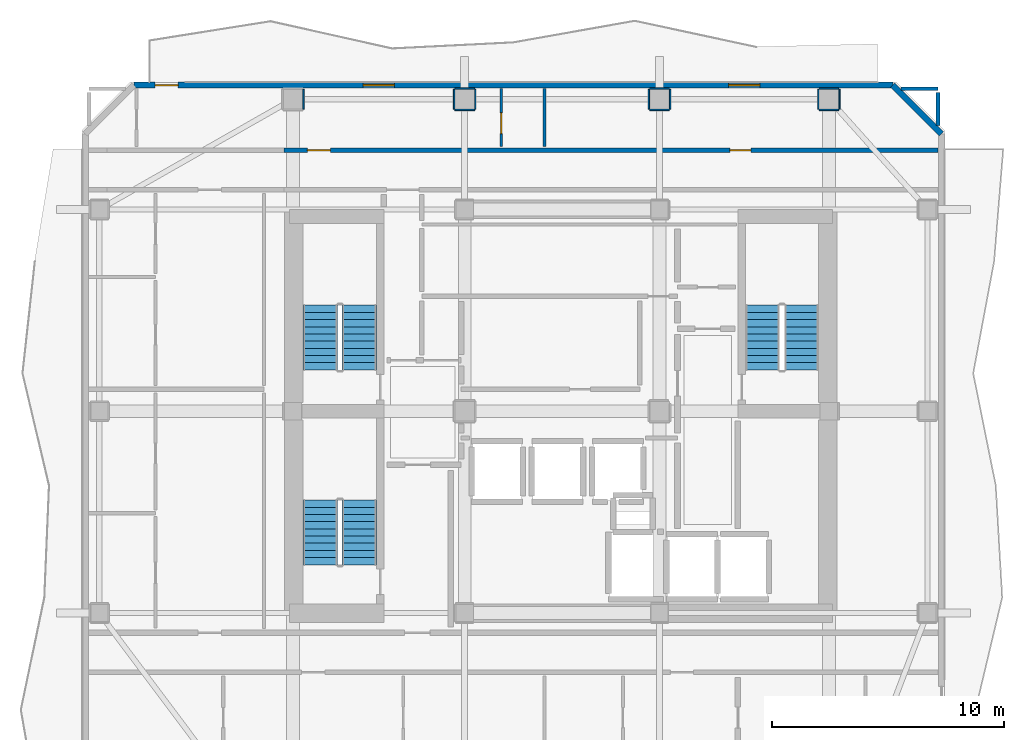
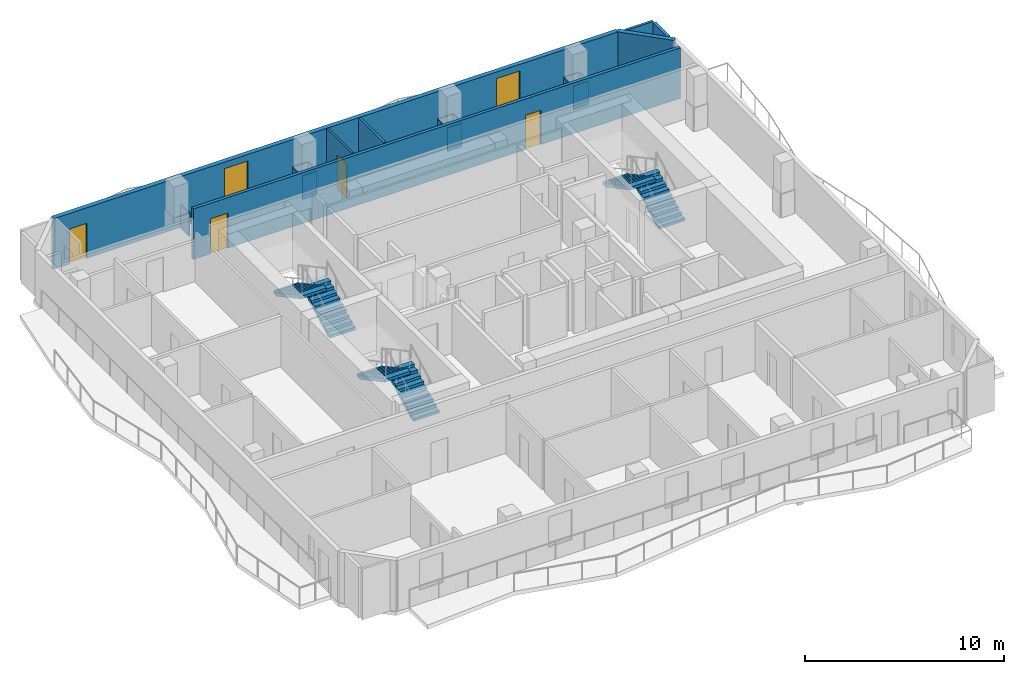
# One storey, part 6 of 10: 20 walls, 6 stair flights, 4 doors, 2 windows, 6 openings, 3 elements without a shape of their own.
"""IFC4 building model written with IfcOpenShell, lengths in metres."""

from ifc_helpers import new_model, si_unit, direction, frame, frame_2d, origin, place, context, subcontext, project, spatial, polyline, rectangle, outline, extrude, material, layer, layer_set, type_object, element, fill, aggregate, save


model = new_model("IFC4")

# Units and contexts
model_context = context("Model", 3, precision=1e-05, world=origin(), true_north=direction((0.0, 1.0)))
body_context = subcontext(model_context, "Body", "Model", "MODEL_VIEW")
ifc_project = project(units=[si_unit("LENGTHUNIT", "METRE"), si_unit("AREAUNIT", "SQUARE_METRE"), si_unit("VOLUMEUNIT", "CUBIC_METRE"), si_unit("PLANEANGLEUNIT", "RADIAN"), si_unit("MASSUNIT", "GRAM", prefix="KILO")], contexts=[model_context])

# Site, building, storey
site_placement = place(None, origin())
site = spatial("IfcSite", under=ifc_project, at=site_placement, CompositionType="ELEMENT")
building_placement = place(site_placement, origin())
building = spatial("IfcBuilding", under=site, at=building_placement, Name="Solanera Arch Residences", CompositionType="ELEMENT")
storey_placement = place(building_placement, frame((0.0, 0.0, 193.47998046875)))
storey = spatial("IfcBuildingStorey", under=building, at=storey_placement, Name="L56", CompositionType="ELEMENT", Elevation=193.47998046875)

# Walls
ifc_material_1 = material(Name="Fire-Rated Gypsum Stud Partition", Category="gypsum")
ifc_layer_1 = layer(ifc_material_1, 0.06005859375)
ifc_layer_set_1 = layer_set([ifc_layer_1], Name="Fire-Rated Gypsum Stud Partition")
wall_type_1 = type_object("IfcWallType", Name="Column Acoustic Furring Wall 60", PredefinedType="PARTITIONING", material=ifc_layer_set_1)
wall_1_placement = place(storey_placement, frame((13.85693359375, 43.72509765625, 0.0), z_axis=(0.0, 0.0, 1.0), x_axis=(0.0, 1.0, 0.0)))
element("IfcWall", 1, at=wall_1_placement, inside=storey, type_object=wall_type_1, Name="L56 Column Furring 10E", PredefinedType="PARTITIONING", context=body_context, shape_type="SweptSolid", body=[
    extrude(rectangle(XDim=0.849853515625, YDim=0.06005859375, at=frame_2d((0.4248046875, 0.0))), origin(), (0.0, 0.0, 1.0), 1.449951171875),
])
for number, where, z_axis, x_axis, name in (
    (2, (20.375, 43.693115234375, 0.0), (0.0, 0.0, 1.0), (1.0, 0.0, 0.0), "L56 Column Furring 12S"),
    (3, (20.375, 44.60693359375, 0.0), (0.0, 0.0, 1.0), (1.0, 0.0, 0.0), "L56 Column Furring 12N"),
):
    element("IfcWall", number, at=place(storey_placement, frame(where, z_axis=z_axis, x_axis=x_axis)), inside=storey, type_object=wall_type_1, Name=name, PredefinedType="PARTITIONING", context=body_context, shape_type="SweptSolid", body=[
        extrude(rectangle(XDim=0.85009765625, YDim=0.06005859375, at=frame_2d((0.425048828125, 0.0))), origin(), (0.0, 0.0, 1.0), 1.449951171875),
    ])
for number, where, z_axis, x_axis, name in (
    (4, (20.343017578125, 43.72509765625, 0.0), (0.0, 0.0, 1.0), (0.0, 1.0, 0.0), "L56 Column Furring 12W"),
    (5, (21.257080078125, 43.72509765625, 0.0), (0.0, 0.0, 1.0), (0.0, 1.0, 0.0), "L56 Column Furring 12E"),
):
    element("IfcWall", number, at=place(storey_placement, frame(where, z_axis=z_axis, x_axis=x_axis)), inside=storey, type_object=wall_type_1, Name=name, PredefinedType="PARTITIONING", context=body_context, shape_type="SweptSolid", body=[
        extrude(rectangle(XDim=0.849853515625, YDim=0.06005859375, at=frame_2d((0.4248046875, 0.0))), origin(), (0.0, 0.0, 1.0), 1.449951171875),
    ])
for number, where, z_axis, x_axis, name in (
    (6, (28.77490234375, 43.693115234375, 0.0), (0.0, 0.0, 1.0), (1.0, 0.0, 0.0), "L56 Column Furring 14S"),
    (7, (28.77490234375, 44.60693359375, 0.0), (0.0, 0.0, 1.0), (1.0, 0.0, 0.0), "L56 Column Furring 14N"),
):
    element("IfcWall", number, at=place(storey_placement, frame(where, z_axis=z_axis, x_axis=x_axis)), inside=storey, type_object=wall_type_1, Name=name, PredefinedType="PARTITIONING", context=body_context, shape_type="SweptSolid", body=[
        extrude(rectangle(XDim=0.85009765625, YDim=0.06005859375, at=frame_2d((0.425048828125, 0.0))), origin(), (0.0, 0.0, 1.0), 1.449951171875),
    ])
for number, where, z_axis, x_axis, name in (
    (8, (28.742919921875, 43.72509765625, 0.0), (0.0, 0.0, 1.0), (0.0, 1.0, 0.0), "L56 Column Furring 14W"),
    (9, (29.656982421875, 43.72509765625, 0.0), (0.0, 0.0, 1.0), (0.0, 1.0, 0.0), "L56 Column Furring 14E"),
):
    element("IfcWall", number, at=place(storey_placement, frame(where, z_axis=z_axis, x_axis=x_axis)), inside=storey, type_object=wall_type_1, Name=name, PredefinedType="PARTITIONING", context=body_context, shape_type="SweptSolid", body=[
        extrude(rectangle(XDim=0.849853515625, YDim=0.06005859375, at=frame_2d((0.4248046875, 0.0))), origin(), (0.0, 0.0, 1.0), 1.449951171875),
    ])
for number, where, z_axis, x_axis, name in (
    (10, (36.074951171875, 43.693115234375, 0.0), (0.0, 0.0, 1.0), (1.0, 0.0, 0.0), "L56 Column Furring 16S"),
    (11, (36.074951171875, 44.60693359375, 0.0), (0.0, 0.0, 1.0), (1.0, 0.0, 0.0), "L56 Column Furring 16N"),
):
    element("IfcWall", number, at=place(storey_placement, frame(where, z_axis=z_axis, x_axis=x_axis)), inside=storey, type_object=wall_type_1, Name=name, PredefinedType="PARTITIONING", context=body_context, shape_type="SweptSolid", body=[
        extrude(rectangle(XDim=0.85009765625, YDim=0.06005859375, at=frame_2d((0.425048828125, 0.0))), origin(), (0.0, 0.0, 1.0), 1.449951171875),
    ])
for number, where, z_axis, x_axis, name in (
    (12, (36.04296875, 43.72509765625, 0.0), (0.0, 0.0, 1.0), (0.0, 1.0, 0.0), "L56 Column Furring 16W"),
    (13, (36.95703125, 43.72509765625, 0.0), (0.0, 0.0, 1.0), (0.0, 1.0, 0.0), "L56 Column Furring 16E"),
):
    element("IfcWall", number, at=place(storey_placement, frame(where, z_axis=z_axis, x_axis=x_axis)), inside=storey, type_object=wall_type_1, Name=name, PredefinedType="PARTITIONING", context=body_context, shape_type="SweptSolid", body=[
        extrude(rectangle(XDim=0.849853515625, YDim=0.06005859375, at=frame_2d((0.4248046875, 0.0))), origin(), (0.0, 0.0, 1.0), 1.449951171875),
    ])

# Wall, openings, doors
ifc_material_2 = material(Name="Autoclaved Aerated Concrete Blockwork", Category="masonry")
ifc_layer_2 = layer(ifc_material_2, 0.179931640625)
ifc_layer_set_2 = layer_set([ifc_layer_2], Name="Autoclaved Aerated Concrete Blockwork")
wall_type_2 = type_object("IfcWallType", Name="Corridor Fire Partition 180", PredefinedType="PARTITIONING", material=ifc_layer_set_2)
wall_2_placement = place(storey_placement, frame((13.011962890625, 41.949951171875, 0.0), z_axis=(0.0, 0.0, 1.0), x_axis=(1.0, 0.0, 0.0)))
wall_2 = element("IfcWall", 14, at=wall_2_placement, inside=storey, type_object=wall_type_2, Name="L56 Interior Partition H13 3", PredefinedType="PARTITIONING", context=body_context, shape_type="SweptSolid", body=[
    extrude(rectangle(XDim=28.200927734375, YDim=0.179931640625, at=frame_2d((14.1005859375, 0.0))), origin(), (0.0, 0.0, 1.0), 3.10009765625),
])
opening_1_placement = place(wall_2_placement, frame((1.0029296875, 0.0, 0.0)))
opening_1 = element("IfcOpeningElement", 15, at=opening_1_placement, cuts=wall_2, Name="Opening DI-01", PredefinedType="OPENING", context=body_context, shape_type="SweptSolid", body=[
    extrude(rectangle(XDim=1.0, YDim=2.14990234375, at=frame_2d((0.5, 1.074951171875))), frame((0.0, 0.10009765625, 0.0), z_axis=(0.0, -1.0, 0.0), x_axis=(1.0, 0.0, 0.0)), (0.0, 0.0, 1.0), 0.1999),
])
opening_2_placement = place(wall_2_placement, frame((19.22412109375, 0.0, 0.0)))
opening_2 = element("IfcOpeningElement", 16, at=opening_2_placement, cuts=wall_2, Name="Opening DI-02", PredefinedType="OPENING", context=body_context, shape_type="SweptSolid", body=[
    extrude(rectangle(XDim=0.89990234375, YDim=2.10009765625, at=frame_2d((0.449951171875, 1.050048828125))), frame((0.0, 0.10009765625, 0.0), z_axis=(0.0, -1.0, 0.0), x_axis=(1.0, 0.0, 0.0)), (0.0, 0.0, 1.0), 0.1999),
])
ifc_material_3 = material(Name="Fire-Rated Architectural Hardwood", Category="wood")
door_type_1 = type_object("IfcDoorType", Name="Suite Room Swing Door DI-02", OperationType="NOTDEFINED", PredefinedType="DOOR", material=ifc_material_3)
door_1_placement = place(opening_2_placement, origin())
door_1 = element("IfcDoor", 17, at=door_1_placement, inside=storey, type_object=door_type_1, Name="DR-L56-IN-029", OperationType="SINGLE_SWING_LEFT", OverallHeight=2.10009765625, OverallWidth=0.89990234375, PredefinedType="DOOR", context=body_context, shape_type="SweptSolid", body=[
    extrude(rectangle(XDim=0.89990234375, YDim=2.10009765625, at=frame_2d((0.449951171875, 1.050048828125))), frame((0.0, 0.02490234375, 0.0), z_axis=(0.0, -1.0, 0.0), x_axis=(1.0, 0.0, 0.0)), (0.0, 0.0, 1.0), 0.050048828125),
])
fill(opening_2, door_1)
ifc_material_4 = material(Name="Fire-Rated Architectural Hardwood", Category="wood")
door_type_2 = type_object("IfcDoorType", Name="Unit Entrance Fire Door DI-01", OperationType="NOTDEFINED", PredefinedType="DOOR", material=ifc_material_4)
door_2_placement = place(opening_1_placement, origin())
door_2 = element("IfcDoor", 18, at=door_2_placement, inside=storey, type_object=door_type_2, Name="DR-L56-IN-026", OperationType="SINGLE_SWING_RIGHT", OverallHeight=2.14990234375, OverallWidth=1.0, PredefinedType="DOOR", context=body_context, shape_type="SweptSolid", body=[
    extrude(rectangle(XDim=1.0, YDim=2.14990234375, at=frame_2d((0.5, 1.074951171875))), frame((0.0, 0.02490234375, 0.0), z_axis=(0.0, -1.0, 0.0), x_axis=(1.0, 0.0, 0.0)), (0.0, 0.0, 1.0), 0.050048828125),
])
fill(opening_1, door_2)

# Wall
wall_3_placement = place(storey_placement, frame((41.199951171875, 43.010986328125, 0.0), z_axis=(0.0, 0.0, 1.0), x_axis=(0.0, 1.0, 0.0)))
element("IfcWall", 19, at=wall_3_placement, inside=storey, type_object=wall_type_2, Name="L56 Interior Partition V11", PredefinedType="PARTITIONING", context=body_context, shape_type="SweptSolid", body=[
    extrude(rectangle(XDim=1.4208984375, YDim=0.179931640625, at=frame_2d((0.71044921875, 0.0))), origin(), (0.0, 0.0, 1.0), 3.10009765625),
])

# Wall, openings, door, windows
ifc_material_5 = material(Name="Precast Concrete C35/45", Category="concrete")
ifc_layer_3 = layer(ifc_material_5, 0.260009765625)
ifc_layer_set_3 = layer_set([ifc_layer_3], Name="Precast Concrete C35/45")
wall_type_3 = type_object("IfcWallType", Name="Exterior Wall Precast Masonry-Frame 260", PredefinedType="STANDARD", material=ifc_layer_set_3)
wall_4_placement = place(storey_placement, frame((6.544921875, 44.7548828125, 0.0), z_axis=(0.0, 0.0, 1.0), x_axis=(1.0, 0.0, 0.0)))
wall_4 = element("IfcWall", 20, at=wall_4_placement, inside=storey, type_object=wall_type_3, Name="L56 Tower Exterior Precast Masonry-Frame Wall N", PredefinedType="STANDARD", context=body_context, shape_type="SweptSolid", body=[
    extrude(rectangle(XDim=32.7099609375, YDim=0.260009765625, at=frame_2d((16.35498046875, 0.0))), origin(), (0.0, 0.0, 1.0), 3.10009765625),
])
opening_3_placement = place(wall_4_placement, frame((0.906982421875, 0.0, 0.0)))
opening_3 = element("IfcOpeningElement", 21, at=opening_3_placement, cuts=wall_4, Name="Opening DB-01", PredefinedType="OPENING", context=body_context, shape_type="SweptSolid", body=[
    extrude(rectangle(XDim=1.0, YDim=2.14990234375, at=frame_2d((0.5, 1.074951171875))), frame((0.0, 0.139892578125, 0.0), z_axis=(0.0, -1.0, 0.0), x_axis=(1.0, 0.0, 0.0)), (0.0, 0.0, 1.0), 0.28),
])
opening_4_placement = place(wall_4_placement, frame((9.8798828125, 0.0, 0.85009765625)))
opening_4 = element("IfcOpeningElement", 22, at=opening_4_placement, cuts=wall_4, Name="Opening W-10", PredefinedType="OPENING", context=body_context, shape_type="SweptSolid", body=[
    extrude(rectangle(XDim=1.35009765625, YDim=1.85009765625, at=frame_2d((0.675048828125, 0.925048828125))), frame((0.0, 0.139892578125, 0.0), z_axis=(0.0, -1.0, 0.0), x_axis=(1.0, 0.0, 0.0)), (0.0, 0.0, 1.0), 0.28),
])
opening_5_placement = place(wall_4_placement, frame((25.6298828125, 0.0, 0.85009765625)))
opening_5 = element("IfcOpeningElement", 23, at=opening_5_placement, cuts=wall_4, Name="Opening W-10", PredefinedType="OPENING", context=body_context, shape_type="SweptSolid", body=[
    extrude(rectangle(XDim=1.35009765625, YDim=1.85009765625, at=frame_2d((0.675048828125, 0.925048828125))), frame((0.0, 0.139892578125, 0.0), z_axis=(0.0, -1.0, 0.0), x_axis=(1.0, 0.0, 0.0)), (0.0, 0.0, 1.0), 0.28),
])
ifc_material_6 = material(Name="Anodised Aluminium Alloy 6063-T6", Category="aluminium")
door_type_3 = type_object("IfcDoorType", Name="Glazed Balcony Swing Door DB-01", OperationType="NOTDEFINED", PredefinedType="DOOR", material=ifc_material_6)
door_3_placement = place(opening_3_placement, origin())
door_3 = element("IfcDoor", 24, at=door_3_placement, inside=storey, type_object=door_type_3, Name="DR-L56-OUT-02", OperationType="SINGLE_SWING_LEFT", OverallHeight=2.14990234375, OverallWidth=1.0, PredefinedType="DOOR", context=body_context, shape_type="SweptSolid", body=[
    extrude(rectangle(XDim=1.0, YDim=2.14990234375, at=frame_2d((0.5, 1.074951171875))), frame((0.0, 0.02490234375, 0.0), z_axis=(0.0, -1.0, 0.0), x_axis=(1.0, 0.0, 0.0)), (0.0, 0.0, 1.0), 0.050048828125),
])
fill(opening_3, door_3)
ifc_material_7 = material(Name="Double Glazed Low-E Laminated Glass", Category="glass")
window_type = type_object("IfcWindowType", Name="Punched Window W-10", PartitioningType="DOUBLE_PANEL_VERTICAL", PredefinedType="WINDOW", material=ifc_material_7)
window_1_placement = place(opening_4_placement, origin())
window_1 = element("IfcWindow", 25, at=window_1_placement, inside=storey, type_object=window_type, Name="L56 5603-LIV Punched Window", OverallHeight=1.85009765625, OverallWidth=1.35009765625, PartitioningType="SINGLE_PANEL", PredefinedType="WINDOW", context=body_context, shape_type="SweptSolid", body=[
    extrude(rectangle(XDim=1.35009765625, YDim=1.85009765625, at=frame_2d((0.675048828125, 0.925048828125))), frame((0.0, 0.030029296875, 0.0), z_axis=(0.0, -1.0, 0.0), x_axis=(1.0, 0.0, 0.0)), (0.0, 0.0, 1.0), 0.06005859375),
])
fill(opening_4, window_1)
window_2_placement = place(opening_5_placement, origin())
window_2 = element("IfcWindow", 26, at=window_2_placement, inside=storey, type_object=window_type, Name="L56 AMN-WIN Punched Window", OverallHeight=1.85009765625, OverallWidth=1.35009765625, PartitioningType="SINGLE_PANEL", PredefinedType="WINDOW", context=body_context, shape_type="SweptSolid", body=[
    extrude(rectangle(XDim=1.35009765625, YDim=1.85009765625, at=frame_2d((0.675048828125, 0.925048828125))), frame((0.0, 0.030029296875, 0.0), z_axis=(0.0, -1.0, 0.0), x_axis=(1.0, 0.0, 0.0)), (0.0, 0.0, 1.0), 0.06005859375),
])
fill(opening_5, window_2)

# Wall
wall_5_placement = place(storey_placement, frame((39.2548828125, 44.7548828125, 0.0), z_axis=(0.0, 0.0, 1.0), x_axis=(0.707147883682, -0.707065676302, 0.0)))
element("IfcWall", 27, at=wall_5_placement, inside=storey, type_object=wall_type_3, Name="L56 Tower Exterior Precast Masonry-Frame Wall CH3", PredefinedType="STANDARD", context=body_context, shape_type="SweptSolid", body=[
    extrude(rectangle(XDim=2.9697265625, YDim=0.260009765625, at=frame_2d((1.48486328125, 0.0))), origin(), (0.0, 0.0, 1.0), 3.10009765625),
])

# Wall, opening, door
ifc_material_8 = material(Name="Fire-Rated Gypsum Stud Partition", Category="gypsum")
ifc_layer_4 = layer(ifc_material_8, 0.1201171875)
ifc_layer_set_4 = layer_set([ifc_layer_4], Name="Fire-Rated Gypsum Stud Partition")
wall_type_4 = type_object("IfcWallType", Name="Unit Drywall Partition 120", PredefinedType="PARTITIONING", material=ifc_layer_set_4)
wall_6_placement = place(storey_placement, frame((22.3798828125, 42.10791015625, 0.0), z_axis=(0.0, 0.0, 1.0), x_axis=(0.0, 1.0, 0.0)))
wall_6 = element("IfcWall", 28, at=wall_6_placement, inside=storey, type_object=wall_type_4, Name="L56 Interior Partition V20", PredefinedType="PARTITIONING", context=body_context, shape_type="SweptSolid", body=[
    extrude(rectangle(XDim=2.505126953125, YDim=0.1201171875, at=frame_2d((1.25244140625, 0.0))), origin(), (0.0, 0.0, 1.0), 3.10009765625),
])
opening_6_placement = place(wall_6_placement, frame((0.556884765625, 0.0, 0.0)))
opening_6 = element("IfcOpeningElement", 29, at=opening_6_placement, cuts=wall_6, Name="Opening DI-02", PredefinedType="OPENING", context=body_context, shape_type="SweptSolid", body=[
    extrude(rectangle(XDim=0.89990234375, YDim=2.10009765625, at=frame_2d((0.449951171875, 1.050048828125))), frame((0.0, 0.070068359375, 0.0), z_axis=(0.0, -1.0, 0.0), x_axis=(1.0, 0.0, 0.0)), (0.0, 0.0, 1.0), 0.1401),
])
door_4_placement = place(opening_6_placement, origin())
door_4 = element("IfcDoor", 30, at=door_4_placement, inside=storey, type_object=door_type_1, Name="DR-L56-IN-028", OperationType="SINGLE_SWING_RIGHT", OverallHeight=2.10009765625, OverallWidth=0.89990234375, PredefinedType="DOOR", context=body_context, shape_type="SweptSolid", body=[
    extrude(rectangle(XDim=0.89990234375, YDim=2.10009765625, at=frame_2d((0.449951171875, 1.050048828125))), frame((0.0, 0.02490234375, 0.0), z_axis=(0.0, -1.0, 0.0), x_axis=(1.0, 0.0, 0.0)), (0.0, 0.0, 1.0), 0.050048828125),
])
fill(opening_6, door_4)

# Walls
ifc_material_9 = material(Name="Autoclaved Aerated Concrete Blockwork", Category="masonry")
ifc_layer_5 = layer(ifc_material_9, 0.139892578125)
ifc_layer_set_5 = layer_set([ifc_layer_5], Name="Autoclaved Aerated Concrete Blockwork")
wall_type_5 = type_object("IfcWallType", Name="Wet-Room Partition 140", PredefinedType="PARTITIONING", material=ifc_layer_set_5)
wall_7_placement = place(storey_placement, frame((39.611083984375, 44.60009765625, 0.0), z_axis=(0.0, 0.0, 1.0), x_axis=(1.0, 0.0, 0.0)))
element("IfcWall", 31, at=wall_7_placement, inside=storey, type_object=wall_type_5, Name="L56 Interior Partition H19 2", PredefinedType="PARTITIONING", context=body_context, shape_type="SweptSolid", body=[
    extrude(rectangle(XDim=1.5888671875, YDim=0.139892578125, at=frame_2d((0.79443359375, 0.0))), origin(), (0.0, 0.0, 1.0), 3.10009765625),
])
wall_8_placement = place(storey_placement, frame((24.243896484375, 42.117919921875, 0.0), z_axis=(0.0, 0.0, 1.0), x_axis=(0.0, 1.0, 0.0)))
element("IfcWall", 32, at=wall_8_placement, inside=storey, type_object=wall_type_5, Name="L56 Interior Partition V16", PredefinedType="PARTITIONING", context=body_context, shape_type="SweptSolid", body=[
    extrude(rectangle(XDim=2.4951171875, YDim=0.139892578125, at=frame_2d((1.24755859375, 0.0))), origin(), (0.0, 0.0, 1.0), 3.10009765625),
])

# Stair, stair flights
ifc_material_10 = material(Name="Concrete C40/50 (f'c = 45 MPa)", Category="concrete")
stair_type = type_object("IfcStairType", Name="Tower Dogleg Exit Stair 1480", PredefinedType="HALF_TURN_STAIR", material=ifc_material_10)
stair_1_placement = place(storey_placement, origin())
stair_1 = element("IfcStair", 33, at=stair_1_placement, inside=storey, type_object=stair_type, Name="L56 Tower Core Exit Stair 1", PredefinedType="HALF_TURN_STAIR")
ifc_material_11 = material(Name="Concrete C40/50 (f'c = 45 MPa)", Category="concrete")
stair_flight_type = type_object("IfcStairFlightType", Name="Tower Precast Stair Flight 1480", PredefinedType="STRAIGHT", material=ifc_material_11)
stair_flight_1_placement = place(storey_placement, frame((16.260009765625, 32.47998046875, 0.0), z_axis=(0.0, 0.0, 1.0), x_axis=(0.0, 1.0, 0.0)))
stair_flight_1 = element("IfcStairFlight", 34, at=stair_flight_1_placement, type_object=stair_flight_type, Name="ST-T1 flight 1", NumberOfRisers=10, NumberOfTreads=9, PredefinedType="STRAIGHT", RiserHeight=0.166, TreadLength=0.31, context=body_context, shape_type="SweptSolid", body=[
    extrude(outline(polyline([(0.0, 0.0), (0.0, 0.166015625), (0.31005859375, 0.166015625), (0.31005859375, 0.33203125), (0.6201171875, 0.33203125), (0.6201171875, 0.498046875), (0.929931640625, 0.498046875), (0.929931640625, 0.6640625), (1.239990234375, 0.6640625), (1.239990234375, 0.830078125), (1.550048828125, 0.830078125), (1.550048828125, 0.99609375), (1.860107421875, 0.99609375), (1.860107421875, 1.162109375), (2.169921875, 1.162109375), (2.169921875, 1.327880859375), (2.47998046875, 1.327880859375), (2.47998046875, 1.493896484375), (2.7900390625, 1.493896484375), (2.7900390625, 1.659912109375), (2.7900390625, 1.323974609375), (0.317626953125, 0.0), (0.0, 0.0)])), frame((0.0, 0.739990234375, 0.0), z_axis=(0.0, -1.0, 0.0), x_axis=(1.0, 0.0, 0.0)), (0.0, 0.0, 1.0), 1.47998046875),
])
stair_flight_2_placement = place(storey_placement, frame((14.580078125, 35.27001953125, 1.659912109375), z_axis=(0.0, 0.0, 1.0), x_axis=(0.0, -1.0, 0.0)))
stair_flight_2 = element("IfcStairFlight", 35, at=stair_flight_2_placement, type_object=stair_flight_type, Name="ST-T1 flight 2", NumberOfRisers=10, NumberOfTreads=9, PredefinedType="STRAIGHT", RiserHeight=0.166, TreadLength=0.31, context=body_context, shape_type="SweptSolid", body=[
    extrude(outline(polyline([(0.0, 0.0), (0.0, 0.166015625), (0.31005859375, 0.166015625), (0.31005859375, 0.33203125), (0.6201171875, 0.33203125), (0.6201171875, 0.498046875), (0.929931640625, 0.498046875), (0.929931640625, 0.6640625), (1.239990234375, 0.6640625), (1.239990234375, 0.830078125), (1.550048828125, 0.830078125), (1.550048828125, 0.99609375), (1.860107421875, 0.99609375), (1.860107421875, 1.162109375), (2.169921875, 1.162109375), (2.169921875, 1.327880859375), (2.47998046875, 1.327880859375), (2.47998046875, 1.493896484375), (2.7900390625, 1.493896484375), (2.7900390625, 1.659912109375), (2.7900390625, 1.323974609375), (0.317626953125, 0.0), (0.0, 0.0)])), frame((0.0, 0.739990234375, 0.0), z_axis=(0.0, -1.0, 0.0), x_axis=(1.0, 0.0, 0.0)), (0.0, 0.0, 1.0), 1.47998046875),
])
aggregate(stair_1, [stair_flight_1, stair_flight_2])

stair_2_placement = place(storey_placement, origin())
stair_2 = element("IfcStair", 36, at=stair_2_placement, inside=storey, type_object=stair_type, Name="L56 Tower Core Exit Stair 2", PredefinedType="HALF_TURN_STAIR")
stair_flight_3_placement = place(storey_placement, frame((35.320068359375, 32.47998046875, 0.0), z_axis=(0.0, 0.0, 1.0), x_axis=(0.0, 1.0, 0.0)))
stair_flight_3 = element("IfcStairFlight", 37, at=stair_flight_3_placement, type_object=stair_flight_type, Name="ST-T2 flight 1", NumberOfRisers=10, NumberOfTreads=9, PredefinedType="STRAIGHT", RiserHeight=0.166, TreadLength=0.31, context=body_context, shape_type="SweptSolid", body=[
    extrude(outline(polyline([(0.0, 0.0), (0.0, 0.166015625), (0.31005859375, 0.166015625), (0.31005859375, 0.33203125), (0.6201171875, 0.33203125), (0.6201171875, 0.498046875), (0.929931640625, 0.498046875), (0.929931640625, 0.6640625), (1.239990234375, 0.6640625), (1.239990234375, 0.830078125), (1.550048828125, 0.830078125), (1.550048828125, 0.99609375), (1.860107421875, 0.99609375), (1.860107421875, 1.162109375), (2.169921875, 1.162109375), (2.169921875, 1.327880859375), (2.47998046875, 1.327880859375), (2.47998046875, 1.493896484375), (2.7900390625, 1.493896484375), (2.7900390625, 1.659912109375), (2.7900390625, 1.323974609375), (0.317626953125, 0.0), (0.0, 0.0)])), frame((0.0, 0.739990234375, 0.0), z_axis=(0.0, -1.0, 0.0), x_axis=(1.0, 0.0, 0.0)), (0.0, 0.0, 1.0), 1.47998046875),
])
stair_flight_4_placement = place(storey_placement, frame((33.639892578125, 35.27001953125, 1.659912109375), z_axis=(0.0, 0.0, 1.0), x_axis=(0.0, -1.0, 0.0)))
stair_flight_4 = element("IfcStairFlight", 38, at=stair_flight_4_placement, type_object=stair_flight_type, Name="ST-T2 flight 2", NumberOfRisers=10, NumberOfTreads=9, PredefinedType="STRAIGHT", RiserHeight=0.166, TreadLength=0.31, context=body_context, shape_type="SweptSolid", body=[
    extrude(outline(polyline([(0.0, 0.0), (0.0, 0.166015625), (0.31005859375, 0.166015625), (0.31005859375, 0.33203125), (0.6201171875, 0.33203125), (0.6201171875, 0.498046875), (0.929931640625, 0.498046875), (0.929931640625, 0.6640625), (1.239990234375, 0.6640625), (1.239990234375, 0.830078125), (1.550048828125, 0.830078125), (1.550048828125, 0.99609375), (1.860107421875, 0.99609375), (1.860107421875, 1.162109375), (2.169921875, 1.162109375), (2.169921875, 1.327880859375), (2.47998046875, 1.327880859375), (2.47998046875, 1.493896484375), (2.7900390625, 1.493896484375), (2.7900390625, 1.659912109375), (2.7900390625, 1.323974609375), (0.317626953125, 0.0), (0.0, 0.0)])), frame((0.0, 0.739990234375, 0.0), z_axis=(0.0, -1.0, 0.0), x_axis=(1.0, 0.0, 0.0)), (0.0, 0.0, 1.0), 1.47998046875),
])
aggregate(stair_2, [stair_flight_3, stair_flight_4])

stair_3_placement = place(storey_placement, origin())
stair_3 = element("IfcStair", 39, at=stair_3_placement, inside=storey, type_object=stair_type, Name="L56 Tower Core Exit Stair 3", PredefinedType="HALF_TURN_STAIR")
stair_flight_5_placement = place(storey_placement, frame((16.260009765625, 24.080078125, 0.0), z_axis=(0.0, 0.0, 1.0), x_axis=(0.0, 1.0, 0.0)))
stair_flight_5 = element("IfcStairFlight", 40, at=stair_flight_5_placement, type_object=stair_flight_type, Name="ST-T3 flight 1", NumberOfRisers=10, NumberOfTreads=9, PredefinedType="STRAIGHT", RiserHeight=0.166, TreadLength=0.31, context=body_context, shape_type="SweptSolid", body=[
    extrude(outline(polyline([(0.0, 0.0), (0.0, 0.166015625), (0.31005859375, 0.166015625), (0.31005859375, 0.33203125), (0.6201171875, 0.33203125), (0.6201171875, 0.498046875), (0.929931640625, 0.498046875), (0.929931640625, 0.6640625), (1.239990234375, 0.6640625), (1.239990234375, 0.830078125), (1.550048828125, 0.830078125), (1.550048828125, 0.99609375), (1.860107421875, 0.99609375), (1.860107421875, 1.162109375), (2.169921875, 1.162109375), (2.169921875, 1.327880859375), (2.47998046875, 1.327880859375), (2.47998046875, 1.493896484375), (2.7900390625, 1.493896484375), (2.7900390625, 1.659912109375), (2.7900390625, 1.323974609375), (0.317626953125, 0.0), (0.0, 0.0)])), frame((0.0, 0.739990234375, 0.0), z_axis=(0.0, -1.0, 0.0), x_axis=(1.0, 0.0, 0.0)), (0.0, 0.0, 1.0), 1.47998046875),
])
stair_flight_6_placement = place(storey_placement, frame((14.580078125, 26.8701171875, 1.659912109375), z_axis=(0.0, 0.0, 1.0), x_axis=(0.0, -1.0, 0.0)))
stair_flight_6 = element("IfcStairFlight", 41, at=stair_flight_6_placement, type_object=stair_flight_type, Name="ST-T3 flight 2", NumberOfRisers=10, NumberOfTreads=9, PredefinedType="STRAIGHT", RiserHeight=0.166, TreadLength=0.31, context=body_context, shape_type="SweptSolid", body=[
    extrude(outline(polyline([(0.0, 0.0), (0.0, 0.166015625), (0.31005859375, 0.166015625), (0.31005859375, 0.33203125), (0.6201171875, 0.33203125), (0.6201171875, 0.498046875), (0.929931640625, 0.498046875), (0.929931640625, 0.6640625), (1.239990234375, 0.6640625), (1.239990234375, 0.830078125), (1.550048828125, 0.830078125), (1.550048828125, 0.99609375), (1.860107421875, 0.99609375), (1.860107421875, 1.162109375), (2.169921875, 1.162109375), (2.169921875, 1.327880859375), (2.47998046875, 1.327880859375), (2.47998046875, 1.493896484375), (2.7900390625, 1.493896484375), (2.7900390625, 1.659912109375), (2.7900390625, 1.323974609375), (0.317626953125, 0.0), (0.0, 0.0)])), frame((0.0, 0.739990234375, 0.0), z_axis=(0.0, -1.0, 0.0), x_axis=(1.0, 0.0, 0.0)), (0.0, 0.0, 1.0), 1.47998046875),
])
aggregate(stair_3, [stair_flight_5, stair_flight_6])

save(model, "model.ifc")
